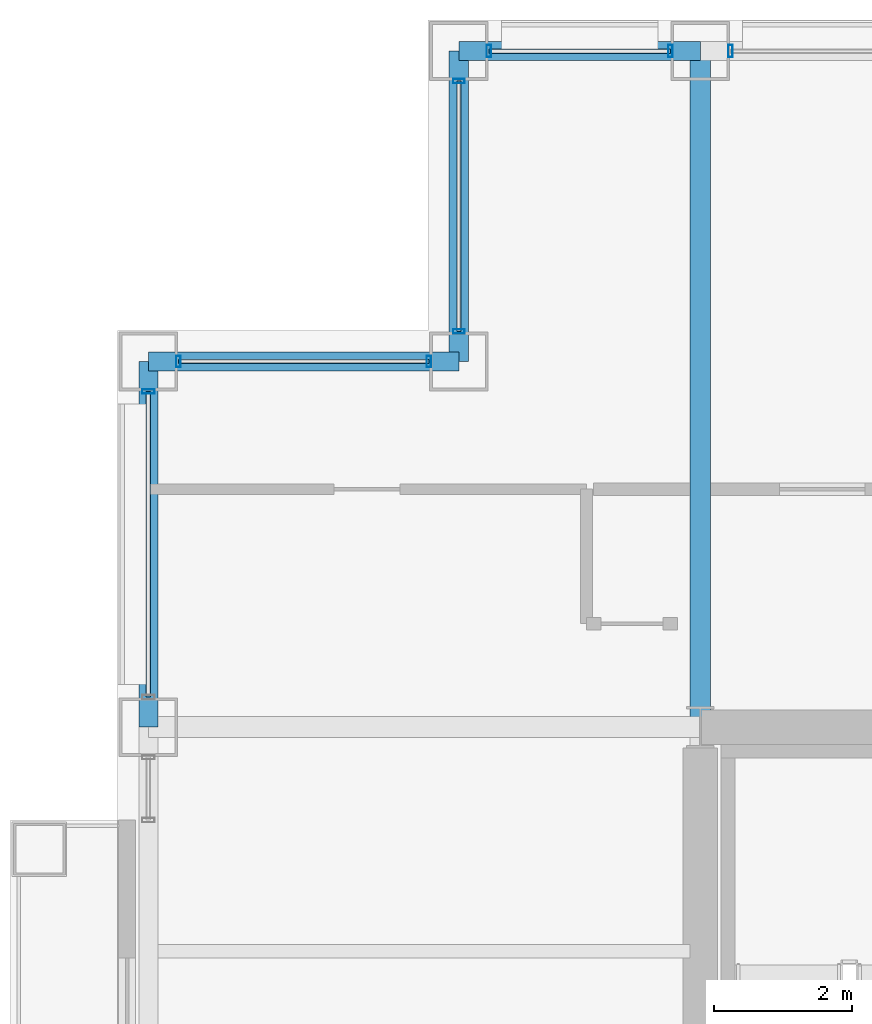
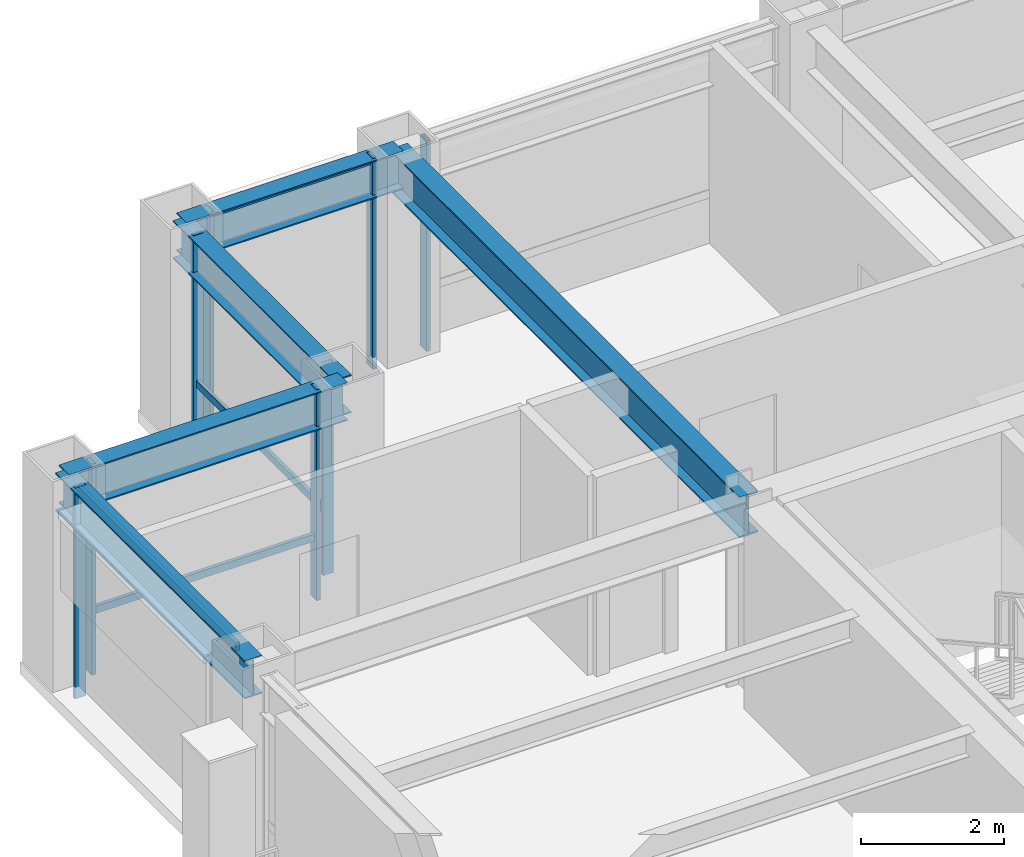
# One storey, part 17 of 30: 12 members, 5 beams, 5 elements without a shape of their own.
"""IFC4 building model written with IfcOpenShell, lengths in metres."""

from ifc_helpers import new_model, si_unit, direction, frame, origin, origin_2d, place, context, subcontext, project, spatial, hollow_rectangle, i_section, extrude, material, layer, layer_set, material_profile, profile_set, type_object, element, aggregate, save


model = new_model("IFC4")

# Units and contexts
model_context = context("Model", 3, precision=1e-05, world=origin(), true_north=direction((0.0, 1.0)))
body_context = subcontext(model_context, "Body", "Model", "MODEL_VIEW")
ifc_project = project(units=[si_unit("LENGTHUNIT", "METRE"), si_unit("AREAUNIT", "SQUARE_METRE"), si_unit("VOLUMEUNIT", "CUBIC_METRE"), si_unit("PLANEANGLEUNIT", "RADIAN"), si_unit("MASSUNIT", "GRAM", prefix="KILO")], contexts=[model_context])

# Site, building, storey
site_placement = place(None, origin())
site = spatial("IfcSite", under=ifc_project, at=site_placement, CompositionType="ELEMENT")
building_placement = place(site_placement, origin())
building = spatial("IfcBuilding", under=site, at=building_placement, Name="Brelmoor Portico Tower", CompositionType="ELEMENT")
storey_placement = place(building_placement, frame((0.0, 0.0, 102.60009765625)))
storey = spatial("IfcBuildingStorey", under=building, at=storey_placement, Name="L26", CompositionType="ELEMENT", Elevation=102.60009765625)

# Beams
ifc_material_1 = material(Name="Steel Q355B", Category="steel")
ifc_material_profile_1 = material_profile(ifc_material_1, i_section(OverallWidth=0.300048828125, OverallDepth=0.699951171875, WebThickness=0.012939453125, FlangeThickness=0.02392578125, at=origin_2d()), Name="HN 700x300x13x24")
ifc_profile_set_1 = profile_set([ifc_material_profile_1], Name="Steel Q355B")
beam_type_1 = type_object("IfcBeamType", Name="BM-PG-700", PredefinedType="BEAM", material=ifc_profile_set_1)
beam_1_placement = place(storey_placement, frame((-14.550048828125, 9.75, 3.0498046875), z_axis=(0.0, 1.0, 0.0), x_axis=(-1.0, 0.0, 0.0)))
element("IfcBeam", 1, at=beam_1_placement, inside=storey, type_object=beam_type_1, Name="L26 Primary Floor Girder PG-04", PredefinedType="BEAM", context=body_context, shape_type="SweptSolid", body=[
    extrude(i_section(OverallWidth=0.300048828125, OverallDepth=0.699951171875, WebThickness=0.012939453125, FlangeThickness=0.02392578125, at=origin_2d()), origin(), (0.0, 0.0, 1.0), 9.800048828125),
])
ifc_material_profile_2 = material_profile(ifc_material_1, i_section(OverallWidth=0.280029296875, OverallDepth=0.64990234375, WebThickness=0.012939453125, FlangeThickness=0.02197265625, at=origin_2d()), Name="HN 650x280x13x22")
ifc_profile_set_2 = profile_set([ifc_material_profile_2], Name="Steel Q355B")
beam_type_2 = type_object("IfcBeamType", Name="BM-SP-650", PredefinedType="SPANDREL", material=ifc_profile_set_2)
beam_2_placement = place(storey_placement, frame((-22.550048828125, 15.050048828125, 3.074951171875), z_axis=(1.0, 0.0, 0.0), x_axis=(0.0, 1.0, 0.0)))
element("IfcBeam", 2, at=beam_2_placement, inside=storey, type_object=beam_type_2, Name="L26 Perimeter Spandrel Beam SP-08", PredefinedType="SPANDREL", context=body_context, shape_type="SweptSolid", body=[
    extrude(i_section(OverallWidth=0.280029296875, OverallDepth=0.64990234375, WebThickness=0.012939453125, FlangeThickness=0.02197265625, at=origin_2d()), origin(), (0.0, 0.0, 1.0), 4.5),
])
beam_3_placement = place(storey_placement, frame((-18.050048828125, 19.550048828125, 3.074951171875), z_axis=(1.0, 0.0, 0.0), x_axis=(0.0, 1.0, 0.0)))
element("IfcBeam", 3, at=beam_3_placement, inside=storey, type_object=beam_type_2, Name="L26 Perimeter Spandrel Beam SP-10", PredefinedType="SPANDREL", context=body_context, shape_type="SweptSolid", body=[
    extrude(i_section(OverallWidth=0.280029296875, OverallDepth=0.64990234375, WebThickness=0.012939453125, FlangeThickness=0.02197265625, at=origin_2d()), origin(), (0.0, 0.0, 1.0), 3.5),
])
beam_4_placement = place(storey_placement, frame((-22.550048828125, 9.75, 3.074951171875), z_axis=(0.0, 1.0, 0.0), x_axis=(-1.0, 0.0, 0.0)))
element("IfcBeam", 4, at=beam_4_placement, inside=storey, type_object=beam_type_2, Name="L26 Perimeter Spandrel Beam SP-17", PredefinedType="SPANDREL", context=body_context, shape_type="SweptSolid", body=[
    extrude(i_section(OverallWidth=0.280029296875, OverallDepth=0.64990234375, WebThickness=0.012939453125, FlangeThickness=0.02197265625, at=origin_2d()), origin(), (0.0, 0.0, 1.0), 5.300048828125),
])
beam_5_placement = place(storey_placement, frame((-18.050048828125, 15.050048828125, 3.074951171875), z_axis=(0.0, 1.0, 0.0), x_axis=(-1.0, 0.0, 0.0)))
element("IfcBeam", 5, at=beam_5_placement, inside=storey, type_object=beam_type_2, Name="L26 Perimeter Spandrel Beam SP-19", PredefinedType="SPANDREL", context=body_context, shape_type="SweptSolid", body=[
    extrude(i_section(OverallWidth=0.280029296875, OverallDepth=0.64990234375, WebThickness=0.012939453125, FlangeThickness=0.02197265625, at=origin_2d()), origin(), (0.0, 0.0, 1.0), 4.5),
])

# Curtain wall, members
ifc_material_2 = material(Name="Anodised Aluminium Alloy 6063-T6", Category="aluminium")
ifc_layer_1 = layer(ifc_material_2, 0.179931640625)
ifc_layer_set_1 = layer_set([ifc_layer_1], Name="Anodised Aluminium Alloy 6063-T6")
curtain_wall_type_1 = type_object("IfcCurtainWallType", Name="CW-NOTCH-CHAMFER", PredefinedType="NOTDEFINED", material=ifc_layer_set_1)
curtain_wall_1_placement = place(storey_placement, origin())
curtain_wall_1 = element("IfcCurtainWall", 6, at=curtain_wall_1_placement, inside=storey, type_object=curtain_wall_type_1, Name="L26 Curtain Wall CWN-L26-NWH", PredefinedType="NOTDEFINED")
ifc_material_profile_3 = material_profile(ifc_material_2, hollow_rectangle(XDim=0.06494140625, YDim=0.1650390625, WallThickness=0.00390625, at=origin_2d()), Name="ALU MULLION 65x165")
ifc_profile_set_3 = profile_set([ifc_material_profile_3], Name="Anodised Aluminium Alloy 6063-T6")
member_type_1 = type_object("IfcMemberType", Name="MB-CW-MULL-165", PredefinedType="MULLION", material=ifc_profile_set_3)
member_1_placement = place(storey_placement, frame((-22.114990234375, 15.050048828125, -0.2001953125), z_axis=(0.0, 0.0, 1.0), x_axis=(1.0, 0.0, 0.0)))
member_1 = element("IfcMember", 7, at=member_1_placement, type_object=member_type_1, Name="CWN-L26-NWH Mullion 00", PredefinedType="MULLION", context=body_context, shape_type="SweptSolid", body=[
    extrude(hollow_rectangle(XDim=0.06494140625, YDim=0.1650390625, WallThickness=0.00390625, at=origin_2d()), origin(), (0.0, 0.0, 1.0), 3.60009765625),
])
member_2_placement = place(storey_placement, frame((-18.485107421875, 15.050048828125, -0.2001953125), z_axis=(0.0, 0.0, 1.0), x_axis=(1.0, 0.0, 0.0)))
member_2 = element("IfcMember", 8, at=member_2_placement, type_object=member_type_1, Name="CWN-L26-NWH Mullion 01", PredefinedType="MULLION", context=body_context, shape_type="SweptSolid", body=[
    extrude(hollow_rectangle(XDim=0.06494140625, YDim=0.1650390625, WallThickness=0.00390625, at=origin_2d()), origin(), (0.0, 0.0, 1.0), 3.60009765625),
])

curtain_wall_2_placement = place(storey_placement, origin())
curtain_wall_2 = element("IfcCurtainWall", 9, at=curtain_wall_2_placement, inside=storey, type_object=curtain_wall_type_1, Name="L26 Curtain Wall CWN-L26-NWV", PredefinedType="NOTDEFINED")
member_3_placement = place(storey_placement, frame((-18.050048828125, 15.485107421875, -0.2001953125), z_axis=(0.0, 0.0, 1.0), x_axis=(0.0, 1.0, 0.0)))
member_3 = element("IfcMember", 10, at=member_3_placement, type_object=member_type_1, Name="CWN-L26-NWV Mullion 00", PredefinedType="MULLION", context=body_context, shape_type="SweptSolid", body=[
    extrude(hollow_rectangle(XDim=0.06494140625, YDim=0.1650390625, WallThickness=0.00390625, at=origin_2d()), origin(), (0.0, 0.0, 1.0), 3.60009765625),
])
member_4_placement = place(storey_placement, frame((-18.050048828125, 19.114990234375, -0.2001953125), z_axis=(0.0, 0.0, 1.0), x_axis=(0.0, 1.0, 0.0)))
member_4 = element("IfcMember", 11, at=member_4_placement, type_object=member_type_1, Name="CWN-L26-NWV Mullion 01", PredefinedType="MULLION", context=body_context, shape_type="SweptSolid", body=[
    extrude(hollow_rectangle(XDim=0.06494140625, YDim=0.1650390625, WallThickness=0.00390625, at=origin_2d()), origin(), (0.0, 0.0, 1.0), 3.60009765625),
])

ifc_layer_2 = layer(ifc_material_2, 0.179931640625)
ifc_layer_set_2 = layer_set([ifc_layer_2], Name="Anodised Aluminium Alloy 6063-T6")
curtain_wall_type_2 = type_object("IfcCurtainWallType", Name="CW-TOWER-Z2-XB", PredefinedType="NOTDEFINED", material=ifc_layer_set_2)
curtain_wall_3_placement = place(storey_placement, origin())
curtain_wall_3 = element("IfcCurtainWall", 12, at=curtain_wall_3_placement, inside=storey, type_object=curtain_wall_type_2, Name="L26 Curtain Wall CW-L26-02-1", PredefinedType="NOTDEFINED")
ifc_material_profile_4 = material_profile(ifc_material_2, hollow_rectangle(XDim=0.06494140625, YDim=0.179931640625, WallThickness=0.00390625, at=origin_2d()), Name="ALU MULLION 65x180")
ifc_profile_set_4 = profile_set([ifc_material_profile_4], Name="Anodised Aluminium Alloy 6063-T6")
member_type_2 = type_object("IfcMemberType", Name="MB-CW-MULL-180", PredefinedType="MULLION", material=ifc_profile_set_4)
member_5_placement = place(storey_placement, frame((-17.614990234375, 19.550048828125, -0.2001953125), z_axis=(0.0, 0.0, 1.0), x_axis=(1.0, 0.0, 0.0)))
member_5 = element("IfcMember", 13, at=member_5_placement, type_object=member_type_2, Name="CW-L26-02-1 Mullion 00", PredefinedType="MULLION", context=body_context, shape_type="SweptSolid", body=[
    extrude(hollow_rectangle(XDim=0.06494140625, YDim=0.179931640625, WallThickness=0.00390625, at=origin_2d()), origin(), (0.0, 0.0, 1.0), 3.60009765625),
])
member_6_placement = place(storey_placement, frame((-14.985107421875, 19.550048828125, -0.2001953125), z_axis=(0.0, 0.0, 1.0), x_axis=(1.0, 0.0, 0.0)))
member_6 = element("IfcMember", 14, at=member_6_placement, type_object=member_type_2, Name="CW-L26-02-1 Mullion 01", PredefinedType="MULLION", context=body_context, shape_type="SweptSolid", body=[
    extrude(hollow_rectangle(XDim=0.06494140625, YDim=0.179931640625, WallThickness=0.00390625, at=origin_2d()), origin(), (0.0, 0.0, 1.0), 3.60009765625),
])

# Curtain wall, member
ifc_layer_3 = layer(ifc_material_2, 0.179931640625)
ifc_layer_set_3 = layer_set([ifc_layer_3], Name="Anodised Aluminium Alloy 6063-T6")
curtain_wall_type_3 = type_object("IfcCurtainWallType", Name="CW-TOWER-Z2", PredefinedType="NOTDEFINED", material=ifc_layer_set_3)
curtain_wall_4_placement = place(storey_placement, origin())
curtain_wall_4 = element("IfcCurtainWall", 15, at=curtain_wall_4_placement, inside=storey, type_object=curtain_wall_type_3, Name="L26 Curtain Wall CW-L26-02-2", PredefinedType="NOTDEFINED")
member_7_placement = place(storey_placement, frame((-14.114990234375, 19.550048828125, -0.2001953125), z_axis=(0.0, 0.0, 1.0), x_axis=(1.0, 0.0, 0.0)))
member_7 = element("IfcMember", 16, at=member_7_placement, type_object=member_type_2, Name="CW-L26-02-2 Mullion 00", PredefinedType="MULLION", context=body_context, shape_type="SweptSolid", body=[
    extrude(hollow_rectangle(XDim=0.06494140625, YDim=0.179931640625, WallThickness=0.00390625, at=origin_2d()), origin(), (0.0, 0.0, 1.0), 3.60009765625),
])
aggregate(curtain_wall_4, [member_7])

curtain_wall_5_placement = place(storey_placement, origin())
curtain_wall_5 = element("IfcCurtainWall", 17, at=curtain_wall_5_placement, inside=storey, type_object=curtain_wall_type_2, Name="L26 Curtain Wall CW-L26-3R-2", PredefinedType="NOTDEFINED")
member_8_placement = place(storey_placement, frame((-22.550048828125, 14.614990234375, -0.2001953125), z_axis=(0.0, 0.0, 1.0), x_axis=(0.0, 1.0, 0.0)))
member_8 = element("IfcMember", 18, at=member_8_placement, type_object=member_type_2, Name="CW-L26-3R-2 Mullion 01", PredefinedType="MULLION", context=body_context, shape_type="SweptSolid", body=[
    extrude(hollow_rectangle(XDim=0.06494140625, YDim=0.179931640625, WallThickness=0.00390625, at=origin_2d()), origin(), (0.0, 0.0, 1.0), 3.60009765625),
])

# Member
ifc_material_profile_5 = material_profile(ifc_material_2, hollow_rectangle(XDim=0.06005859375, YDim=0.125, WallThickness=0.00341796875, at=origin_2d()), Name="ALU TRANSOM 60x125")
ifc_profile_set_5 = profile_set([ifc_material_profile_5], Name="Anodised Aluminium Alloy 6063-T6")
member_type_3 = type_object("IfcMemberType", Name="MB-CW-TRAN-125", PredefinedType="USERDEFINED", material=ifc_profile_set_5)
member_9_placement = place(storey_placement, frame((-22.114990234375, 15.050048828125, 0.849853515625), z_axis=(1.0, 0.0, 0.0), x_axis=(0.0, 1.0, 0.0)))
member_9 = element("IfcMember", 19, at=member_9_placement, type_object=member_type_3, Name="CWN-L26-NWH Transom 1-00", ObjectType="TRANSOM", PredefinedType="USERDEFINED", context=body_context, shape_type="SweptSolid", body=[
    extrude(hollow_rectangle(XDim=0.06005859375, YDim=0.125, WallThickness=0.00341796875, at=origin_2d()), origin(), (0.0, 0.0, 1.0), 3.6298828125),
])

aggregate(curtain_wall_1, [member_1, member_2, member_9])

member_10_placement = place(storey_placement, frame((-18.050048828125, 15.485107421875, 0.849853515625), z_axis=(0.0, 1.0, 0.0), x_axis=(-1.0, 0.0, 0.0)))
member_10 = element("IfcMember", 20, at=member_10_placement, type_object=member_type_3, Name="CWN-L26-NWV Transom 1-00", ObjectType="TRANSOM", PredefinedType="USERDEFINED", context=body_context, shape_type="SweptSolid", body=[
    extrude(hollow_rectangle(XDim=0.06005859375, YDim=0.125, WallThickness=0.00341796875, at=origin_2d()), origin(), (0.0, 0.0, 1.0), 3.6298828125),
])

aggregate(curtain_wall_2, [member_3, member_4, member_10])

ifc_material_profile_6 = material_profile(ifc_material_2, hollow_rectangle(XDim=0.06494140625, YDim=0.139892578125, WallThickness=0.00390625, at=origin_2d()), Name="ALU TRANSOM 65x140")
ifc_profile_set_6 = profile_set([ifc_material_profile_6], Name="Anodised Aluminium Alloy 6063-T6")
member_type_4 = type_object("IfcMemberType", Name="MB-CW-TRAN-140", PredefinedType="USERDEFINED", material=ifc_profile_set_6)
member_11_placement = place(storey_placement, frame((-17.614990234375, 19.550048828125, 3.329833984375), z_axis=(1.0, 0.0, 0.0), x_axis=(0.0, 1.0, 0.0)))
member_11 = element("IfcMember", 21, at=member_11_placement, type_object=member_type_4, Name="CW-L26-02-1 Transom 1-00", ObjectType="TRANSOM", PredefinedType="USERDEFINED", context=body_context, shape_type="SweptSolid", body=[
    extrude(hollow_rectangle(XDim=0.06494140625, YDim=0.139892578125, WallThickness=0.00390625, at=origin_2d()), origin(), (0.0, 0.0, 1.0), 2.6298828125),
])

aggregate(curtain_wall_3, [member_5, member_6, member_11])

member_12_placement = place(storey_placement, frame((-22.550048828125, 10.18505859375, 3.329833984375), z_axis=(0.0, 1.0, 0.0), x_axis=(-1.0, 0.0, 0.0)))
member_12 = element("IfcMember", 22, at=member_12_placement, type_object=member_type_4, Name="CW-L26-3R-2 Transom 1-00", ObjectType="TRANSOM", PredefinedType="USERDEFINED", context=body_context, shape_type="SweptSolid", body=[
    extrude(hollow_rectangle(XDim=0.06494140625, YDim=0.139892578125, WallThickness=0.00390625, at=origin_2d()), origin(), (0.0, 0.0, 1.0), 4.429931640625),
])

aggregate(curtain_wall_5, [member_8, member_12])

save(model, "model.ifc")
